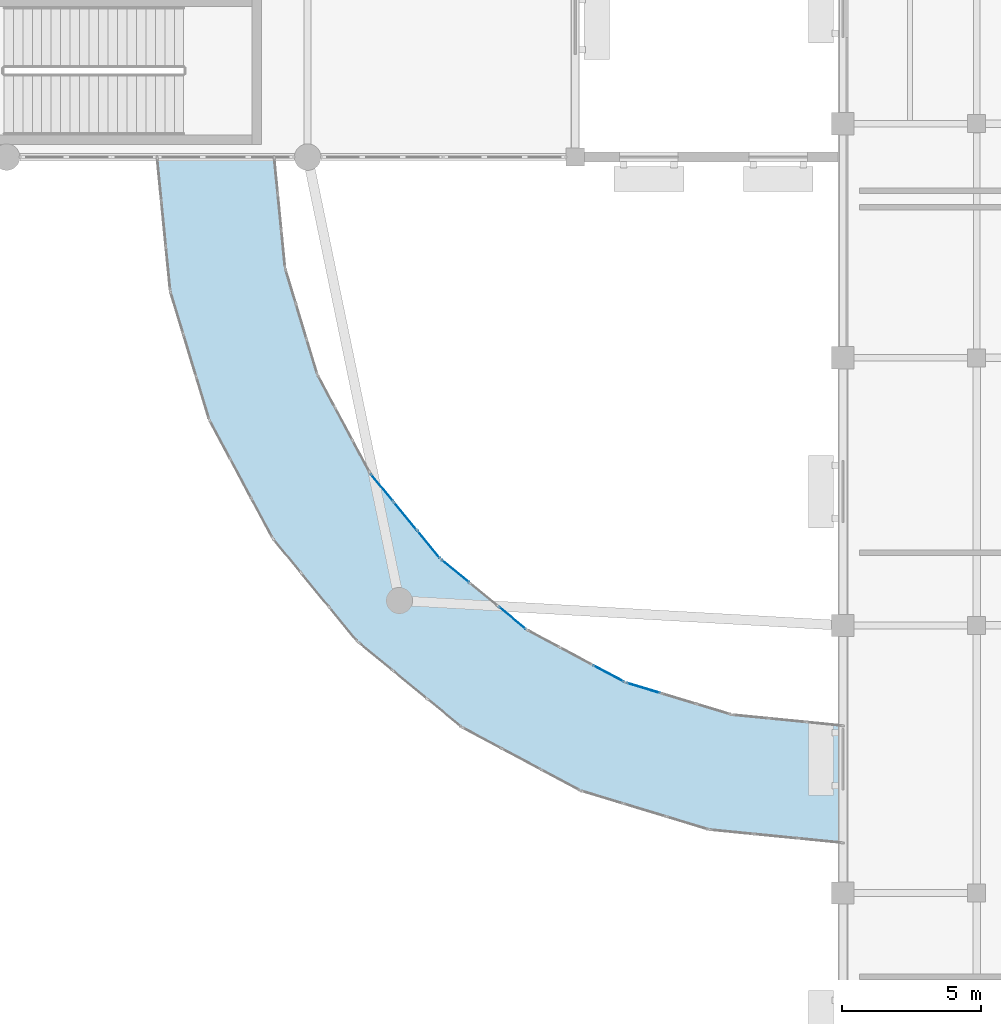
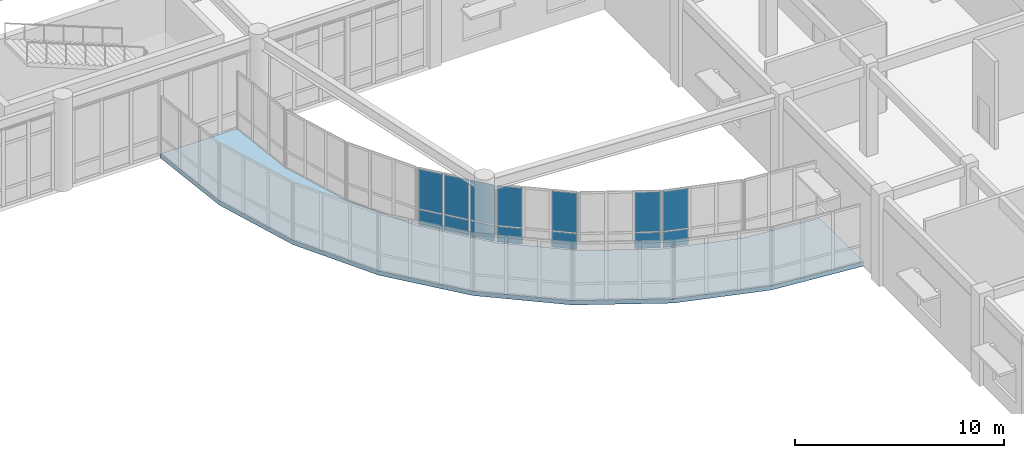
# One storey, part 45 of 72: 14 plates, 1 slab, 4 elements without a shape of their own.
"""IFC4 building model written with IfcOpenShell, lengths in metres."""

import ifcopenshell
import ifcopenshell.guid

model = None  # the IFC model being written
_history = None  # IfcOwnerHistory: only IFC2X3 demands one
_inside = {}  # id of a spatial element -> (the spatial element, [elements in it])
_under = {}  # id of a project, library or spatial element -> (it, [spatial elements below it])
_declared = {}  # id of a project -> (the project, [libraries it declares])
_typed = {}  # id of a type object -> (the type object, [elements of that type])
_made_of = {}  # id of a material, layer set ... -> (it, [elements and type objects made of it])


def new_model(schema):
    """Start an empty IFC model of exactly this schema.

    Asked for "IFC4X3", IfcOpenShell would pick the latest addendum, in which some entities
    have other attributes; the version numbers below select the first issue.
    IFC2X3 requires an IfcOwnerHistory on every rooted entity: one is made here for all.
    """
    global model, _history
    if schema == "IFC4X3":
        model = ifcopenshell.file(schema_version=(4, 3, 0, 0))
    else:
        model = ifcopenshell.file(schema=schema)
    _inside.clear()
    _under.clear()
    _declared.clear()
    _typed.clear()
    _made_of.clear()
    _history = None
    if model.schema == "IFC2X3":
        org = make("IfcOrganization", Name="unknown")
        user = make(
            "IfcPersonAndOrganization",
            ThePerson=make("IfcPerson", FamilyName="unknown"),
            TheOrganization=org,
        )
        app = make(
            "IfcApplication",
            ApplicationDeveloper=org,
            Version="unknown",
            ApplicationFullName="unknown",
            ApplicationIdentifier="unknown",
        )
        _history = make(
            "IfcOwnerHistory",
            OwningUser=user,
            OwningApplication=app,
            ChangeAction="ADDED",
            CreationDate=0,
        )
    return model


def make(cls, **values):
    """One entity of the class cls with the attributes given. An attribute that is None is left unset."""
    return model.create_entity(
        cls, **{name: value for name, value in values.items() if value is not None}
    )


def rooted(cls, **values):
    """An entity with a GlobalId (a new one), such as an element, a storey or a relation."""
    return make(cls, GlobalId=ifcopenshell.guid.new(), OwnerHistory=_history, **values)


def si_unit(unit_type, name, prefix=None):
    """IfcSIUnit, for example si_unit("LENGTHUNIT", "METRE", prefix="MILLI")."""
    return make("IfcSIUnit", UnitType=unit_type, Prefix=prefix, Name=name)


def assignment(units):
    """IfcUnitAssignment: the units of a project."""
    return None if units is None else make("IfcUnitAssignment", Units=units)


def point(xyz):
    """IfcCartesianPoint."""
    return None if xyz is None else make("IfcCartesianPoint", Coordinates=xyz)


def direction(xyz):
    """IfcDirection."""
    return None if xyz is None else make("IfcDirection", DirectionRatios=xyz)


def frame(location, z_axis=None, x_axis=None):
    """IfcAxis2Placement3D, a coordinate frame: its origin and axes. An axis left out is left unset."""
    return make(
        "IfcAxis2Placement3D",
        Location=point(location),
        Axis=direction(z_axis),
        RefDirection=direction(x_axis),
    )


def frame_2d(location, x_axis=None):
    """IfcAxis2Placement2D, a coordinate frame in the plane: its origin and x axis."""
    return make(
        "IfcAxis2Placement2D", Location=point(location), RefDirection=direction(x_axis)
    )


def origin():
    """The frame at (0, 0, 0) with its axes left unset."""
    return frame((0.0, 0.0, 0.0))


def origin_2d():
    """The frame at (0, 0) in the plane with its x axis left unset."""
    return frame_2d((0.0, 0.0))


def place(relative_to, where):
    """IfcLocalPlacement: puts the frame where relative to a parent placement (None: the world)."""
    return make(
        "IfcLocalPlacement", PlacementRelTo=relative_to, RelativePlacement=where
    )


def context(
    kind, dimensions, precision=None, world=None, true_north=None, identifier=None
):
    """IfcGeometricRepresentationContext, for example the 3D "Model" context."""
    return make(
        "IfcGeometricRepresentationContext",
        ContextIdentifier=identifier,
        ContextType=kind,
        CoordinateSpaceDimension=dimensions,
        Precision=precision,
        WorldCoordinateSystem=world,
        TrueNorth=true_north,
    )


def subcontext(parent, identifier, kind, view, scale=None):
    """IfcGeometricRepresentationSubContext, for example "Body" below "Model"."""
    return make(
        "IfcGeometricRepresentationSubContext",
        ContextIdentifier=identifier,
        ContextType=kind,
        ParentContext=parent,
        TargetScale=scale,
        TargetView=view,
    )


def project(units=None, contexts=None):
    """IfcProject with its units and contexts."""
    return rooted(
        "IfcProject",
        Name="project",
        RepresentationContexts=contexts,
        UnitsInContext=assignment(units),
    )


def spatial(cls, under=None, at=None, **own):
    """A site, building, storey or space (cls), placed at a placement, below another one or the project."""
    s = rooted(cls, ObjectPlacement=at, **own)
    if under is not None:
        _under.setdefault(under.id(), (under, []))[1].append(s)
    return s


def polyline(points):
    """IfcPolyline through the points."""
    return make("IfcPolyline", Points=[point(p) for p in points])


def profile(cls, at=None, kind="AREA", **sizes):
    """A parametric profile (cls). Its sizes go by their IFC names, for example OverallWidth=200.0."""
    return make(cls, ProfileType=kind, Position=at, **sizes)


def rectangle(**sizes):
    """IfcRectangleProfileDef."""
    return profile("IfcRectangleProfileDef", **sizes)


def outline(outer, holes=None, kind="AREA"):
    """IfcArbitraryClosedProfileDef: a profile drawn as a closed curve; with holes, ...WithVoids."""
    if holes is None:
        return make("IfcArbitraryClosedProfileDef", ProfileType=kind, OuterCurve=outer)
    return make(
        "IfcArbitraryProfileDefWithVoids",
        ProfileType=kind,
        OuterCurve=outer,
        InnerCurves=holes,
    )


def extrude(swept, where, along, depth):
    """IfcExtrudedAreaSolid: the profile swept, set in the frame where, extruded along a direction by depth."""
    return make(
        "IfcExtrudedAreaSolid",
        SweptArea=swept,
        Position=where,
        ExtrudedDirection=direction(along),
        Depth=depth,
    )


def shape(context_of_items, identifier, shape_type, items):
    """IfcShapeRepresentation: the items that make up one representation, for example the "Body"."""
    return make(
        "IfcShapeRepresentation",
        ContextOfItems=context_of_items,
        RepresentationIdentifier=identifier,
        RepresentationType=shape_type,
        Items=items,
    )


def material(Name=None, Category=None):
    """IfcMaterial."""
    return make("IfcMaterial", Name=Name, Category=Category)


def layer(
    of_material, thickness, ventilated=None, Name=None, Category=None, Priority=None
):
    """IfcMaterialLayer: one layer of a wall or slab, of a material (None: an air gap)."""
    return make(
        "IfcMaterialLayer",
        Material=of_material,
        LayerThickness=thickness,
        IsVentilated=ventilated,
        Name=Name,
        Category=Category,
        Priority=Priority,
    )


def layer_set(layers, Name=None):
    """IfcMaterialLayerSet."""
    return make("IfcMaterialLayerSet", MaterialLayers=layers, LayerSetName=Name)


def made_of(thing, what):
    """Note that an element or type object is made of a material, layer set ...; save() writes the relation."""
    if what is not None:
        _made_of.setdefault(what.id(), (what, []))[1].append(thing)
    return thing


def type_object(cls, material=None, **own):
    """A type object (cls), such as IfcWallType, which elements share."""
    return made_of(rooted(cls, **own), material)


def element(
    cls,
    number,
    at=None,
    inside=None,
    cuts=None,
    type_object=None,
    material=None,
    context=None,
    identifier="Body",
    shape_type=None,
    held_by="IfcProductDefinitionShape",
    body=None,
    shapes=None,
    **own,
):
    """One element of the class cls, such as IfcWall. Its Tag is "e" and its number.

    at: its placement. inside: the storey or other place that contains it. cuts: it is an
    opening in that element (IfcRelVoidsElement). A single representation is given by context,
    identifier, shape_type and body (its items); several are given by shapes. held_by: the class
    of the entity that holds the representations. save() writes the other relations.
    """
    e = rooted(cls, Tag="e%d" % number, ObjectPlacement=at, **own)
    if body is not None:
        shapes = [shape(context, identifier, shape_type, body)]
    if shapes is not None:
        e.Representation = make(held_by, Representations=shapes)
    if inside is not None:
        _inside.setdefault(inside.id(), (inside, []))[1].append(e)
    if cuts is not None:
        rooted(
            "IfcRelVoidsElement", RelatingBuildingElement=cuts, RelatedOpeningElement=e
        )
    if type_object is not None:
        _typed.setdefault(type_object.id(), (type_object, []))[1].append(e)
    return made_of(e, material)


def aggregate(whole, parts):
    """IfcRelAggregates: a whole, such as a stair, and the parts it consists of."""
    return rooted("IfcRelAggregates", RelatingObject=whole, RelatedObjects=parts)


def save(model, path):
    """Write the relations noted so far, then the file.

    IfcRelAggregates (storeys below a building ...), IfcRelContainedInSpatialStructure (elements
    in a storey), IfcRelDefinesByType, IfcRelAssociatesMaterial and IfcRelDeclares: one each for
    every whole, place, type object, material and project.
    """
    for whole, parts in _under.values():
        aggregate(whole, parts)
    for where, things in _inside.values():
        rooted(
            "IfcRelContainedInSpatialStructure",
            RelatedElements=things,
            RelatingStructure=where,
        )
    for kind, things in _typed.values():
        rooted("IfcRelDefinesByType", RelatedObjects=things, RelatingType=kind)
    for what, things in _made_of.values():
        rooted("IfcRelAssociatesMaterial", RelatedObjects=things, RelatingMaterial=what)
    for by, libraries in _declared.values():
        rooted("IfcRelDeclares", RelatingContext=by, RelatedDefinitions=libraries)
    model.write(path)


model = new_model("IFC4")

# Units and contexts
model_context = context("Model", 3, precision=1e-05, world=origin(), true_north=direction((0.0, 1.0)))
body_context = subcontext(model_context, "Body", "Model", "MODEL_VIEW")
ifc_project = project(units=[si_unit("LENGTHUNIT", "METRE"), si_unit("AREAUNIT", "SQUARE_METRE"), si_unit("VOLUMEUNIT", "CUBIC_METRE"), si_unit("PLANEANGLEUNIT", "RADIAN"), si_unit("MASSUNIT", "GRAM", prefix="KILO")], contexts=[model_context])

# Site, building, storey
site_placement = place(None, origin())
site = spatial("IfcSite", under=ifc_project, at=site_placement, CompositionType="ELEMENT")
building_placement = place(site_placement, origin())
building = spatial("IfcBuilding", under=site, at=building_placement, Name="Veldera Park Congress Hotel", CompositionType="ELEMENT")
storey_placement = place(building_placement, frame((0.0, 0.0, 5.39990234375)))
storey = spatial("IfcBuildingStorey", under=building, at=storey_placement, Name="L01", CompositionType="ELEMENT", Elevation=5.39990234375)

# Curtain wall, plates
ifc_material_1 = material(Name="Low-E Triple Insulating Glass Unit (SHGC 0.22)", Category="glass")
curtain_wall_type = type_object("IfcCurtainWallType", Name="CW-BRG", PredefinedType="NOTDEFINED", material=ifc_material_1)
curtain_wall_1_placement = place(storey_placement, origin())
curtain_wall_1 = element("IfcCurtainWall", 1, at=curtain_wall_1_placement, inside=storey, type_object=curtain_wall_type, Name="L01 Curtain Wall CW3-BRGE-L01-B10", PredefinedType="NOTDEFINED")
ifc_layer_1 = layer(ifc_material_1, 0.028076171875)
ifc_layer_set_1 = layer_set([ifc_layer_1], Name="Low-E Triple Insulating Glass Unit (SHGC 0.22)")
plate_type = type_object("IfcPlateType", Name="CWP-IGU28", PredefinedType="CURTAIN_PANEL", material=ifc_layer_set_1)
plate_1_placement = place(storey_placement, frame((53.6455078125, -1.64501953125, 0.06005859375), z_axis=(0.0, 0.0, 1.0), x_axis=(-0.956938767513, 0.290289846929, 0.0)))
plate_1 = element("IfcPlate", 2, at=plate_1_placement, type_object=plate_type, Name="CW-BRG panel 3.1", PredefinedType="CURTAIN_PANEL", context=body_context, shape_type="SweptSolid", body=[
    extrude(rectangle(XDim=1.242919921875, YDim=0.028076171875, at=origin_2d()), origin(), (0.0, 0.0, 1.0), 0.909912109375),
])
plate_2_placement = place(storey_placement, frame((53.6455078125, -1.64501953125, 1.030029296875), z_axis=(0.0, 0.0, 1.0), x_axis=(-0.956938767513, 0.290289846929, 0.0)))
plate_2 = element("IfcPlate", 3, at=plate_2_placement, type_object=plate_type, Name="CW-BRG panel 3.2", PredefinedType="CURTAIN_PANEL", context=body_context, shape_type="SweptSolid", body=[
    extrude(rectangle(XDim=1.242919921875, YDim=0.028076171875, at=origin_2d()), origin(), (0.0, 0.0, 1.0), 2.31005859375),
])
aggregate(curtain_wall_1, [plate_1, plate_2])

curtain_wall_2_placement = place(storey_placement, origin())
curtain_wall_2 = element("IfcCurtainWall", 4, at=curtain_wall_2_placement, inside=storey, type_object=curtain_wall_type, Name="L01 Curtain Wall CW3-BRGE-L01-B11", PredefinedType="NOTDEFINED")
plate_3_placement = place(storey_placement, frame((52.392333984375, -1.125732421875, 0.06005859375), z_axis=(0.0, 0.0, 1.0), x_axis=(-0.881928263239, 0.471383642588, 0.0)))
plate_3 = element("IfcPlate", 5, at=plate_3_placement, type_object=plate_type, Name="CW-BRG panel 1.1", PredefinedType="CURTAIN_PANEL", context=body_context, shape_type="SweptSolid", body=[
    extrude(rectangle(XDim=1.242919921875, YDim=0.028076171875, at=origin_2d()), origin(), (0.0, 0.0, 1.0), 0.909912109375),
])
plate_4_placement = place(storey_placement, frame((52.392333984375, -1.125732421875, 1.030029296875), z_axis=(0.0, 0.0, 1.0), x_axis=(-0.881928263239, 0.471383642588, 0.0)))
plate_4 = element("IfcPlate", 6, at=plate_4_placement, type_object=plate_type, Name="CW-BRG panel 1.2", PredefinedType="CURTAIN_PANEL", context=body_context, shape_type="SweptSolid", body=[
    extrude(rectangle(XDim=1.242919921875, YDim=0.028076171875, at=origin_2d()), origin(), (0.0, 0.0, 1.0), 2.31005859375),
])
aggregate(curtain_wall_2, [plate_3, plate_4])

curtain_wall_3_placement = place(storey_placement, origin())
curtain_wall_3 = element("IfcCurtainWall", 7, at=curtain_wall_3_placement, inside=storey, type_object=curtain_wall_type, Name="L01 Curtain Wall CW3-BRGE-L01-B12", PredefinedType="NOTDEFINED")
plate_5_placement = place(storey_placement, frame((48.939453125, 0.870361328125, 0.06005859375), z_axis=(0.0, 0.0, 1.0), x_axis=(-0.773016144823, 0.634386349036, 0.0)))
plate_5 = element("IfcPlate", 8, at=plate_5_placement, type_object=plate_type, Name="CW-BRG panel 1.1", PredefinedType="CURTAIN_PANEL", context=body_context, shape_type="SweptSolid", body=[
    extrude(rectangle(XDim=1.2431640625, YDim=0.028076171875, at=origin_2d()), origin(), (0.0, 0.0, 1.0), 0.909912109375),
])
plate_6_placement = place(storey_placement, frame((48.939453125, 0.870361328125, 1.030029296875), z_axis=(0.0, 0.0, 1.0), x_axis=(-0.773016144823, 0.634386349036, 0.0)))
plate_6 = element("IfcPlate", 9, at=plate_6_placement, type_object=plate_type, Name="CW-BRG panel 1.2", PredefinedType="CURTAIN_PANEL", context=body_context, shape_type="SweptSolid", body=[
    extrude(rectangle(XDim=1.2431640625, YDim=0.028076171875, at=origin_2d()), origin(), (0.0, 0.0, 1.0), 2.31005859375),
])
plate_7_placement = place(storey_placement, frame((46.90185546875, 2.542724609375, 0.06005859375), z_axis=(0.0, 0.0, 1.0), x_axis=(-0.773016144823, 0.634386349036, 0.0)))
plate_7 = element("IfcPlate", 10, at=plate_7_placement, type_object=plate_type, Name="CW-BRG panel 3.1", PredefinedType="CURTAIN_PANEL", context=body_context, shape_type="SweptSolid", body=[
    extrude(rectangle(XDim=1.2431640625, YDim=0.028076171875, at=origin_2d()), origin(), (0.0, 0.0, 1.0), 0.909912109375),
])
plate_8_placement = place(storey_placement, frame((46.90185546875, 2.542724609375, 1.030029296875), z_axis=(0.0, 0.0, 1.0), x_axis=(-0.773016144823, 0.634386349036, 0.0)))
plate_8 = element("IfcPlate", 11, at=plate_8_placement, type_object=plate_type, Name="CW-BRG panel 3.2", PredefinedType="CURTAIN_PANEL", context=body_context, shape_type="SweptSolid", body=[
    extrude(rectangle(XDim=1.2431640625, YDim=0.028076171875, at=origin_2d()), origin(), (0.0, 0.0, 1.0), 2.31005859375),
])
aggregate(curtain_wall_3, [plate_5, plate_6, plate_7, plate_8])

curtain_wall_4_placement = place(storey_placement, origin())
curtain_wall_4 = element("IfcCurtainWall", 12, at=curtain_wall_4_placement, inside=storey, type_object=curtain_wall_type, Name="L01 Curtain Wall CW3-BRGE-L01-B13", PredefinedType="NOTDEFINED")
plate_9_placement = place(storey_placement, frame((45.942626953125, 3.501708984375, 0.06005859375), z_axis=(0.0, 0.0, 1.0), x_axis=(-0.634386349036, 0.773016144823, 0.0)))
plate_9 = element("IfcPlate", 13, at=plate_9_placement, type_object=plate_type, Name="CW-BRG panel 1.1", PredefinedType="CURTAIN_PANEL", context=body_context, shape_type="SweptSolid", body=[
    extrude(rectangle(XDim=1.2431640625, YDim=0.028076171875, at=origin_2d()), origin(), (0.0, 0.0, 1.0), 0.909912109375),
])
plate_10_placement = place(storey_placement, frame((45.942626953125, 3.501708984375, 1.030029296875), z_axis=(0.0, 0.0, 1.0), x_axis=(-0.634386349036, 0.773016144823, 0.0)))
plate_10 = element("IfcPlate", 14, at=plate_10_placement, type_object=plate_type, Name="CW-BRG panel 1.2", PredefinedType="CURTAIN_PANEL", context=body_context, shape_type="SweptSolid", body=[
    extrude(rectangle(XDim=1.2431640625, YDim=0.028076171875, at=origin_2d()), origin(), (0.0, 0.0, 1.0), 2.31005859375),
])
plate_11_placement = place(storey_placement, frame((45.1064453125, 4.520751953125, 0.06005859375), z_axis=(0.0, 0.0, 1.0), x_axis=(-0.634386349036, 0.773016144823, 0.0)))
plate_11 = element("IfcPlate", 15, at=plate_11_placement, type_object=plate_type, Name="CW-BRG panel 2.1", PredefinedType="CURTAIN_PANEL", context=body_context, shape_type="SweptSolid", body=[
    extrude(rectangle(XDim=1.27294921875, YDim=0.028076171875, at=origin_2d()), origin(), (0.0, 0.0, 1.0), 0.909912109375),
])
plate_12_placement = place(storey_placement, frame((45.1064453125, 4.520751953125, 1.030029296875), z_axis=(0.0, 0.0, 1.0), x_axis=(-0.634386349036, 0.773016144823, 0.0)))
plate_12 = element("IfcPlate", 16, at=plate_12_placement, type_object=plate_type, Name="CW-BRG panel 2.2", PredefinedType="CURTAIN_PANEL", context=body_context, shape_type="SweptSolid", body=[
    extrude(rectangle(XDim=1.27294921875, YDim=0.028076171875, at=origin_2d()), origin(), (0.0, 0.0, 1.0), 2.31005859375),
])
plate_13_placement = place(storey_placement, frame((44.270263671875, 5.53955078125, 0.06005859375), z_axis=(0.0, 0.0, 1.0), x_axis=(-0.634386349036, 0.773016144823, 0.0)))
plate_13 = element("IfcPlate", 17, at=plate_13_placement, type_object=plate_type, Name="CW-BRG panel 3.1", PredefinedType="CURTAIN_PANEL", context=body_context, shape_type="SweptSolid", body=[
    extrude(rectangle(XDim=1.2431640625, YDim=0.028076171875, at=origin_2d()), origin(), (0.0, 0.0, 1.0), 0.909912109375),
])
plate_14_placement = place(storey_placement, frame((44.270263671875, 5.53955078125, 1.030029296875), z_axis=(0.0, 0.0, 1.0), x_axis=(-0.634386349036, 0.773016144823, 0.0)))
plate_14 = element("IfcPlate", 18, at=plate_14_placement, type_object=plate_type, Name="CW-BRG panel 3.2", PredefinedType="CURTAIN_PANEL", context=body_context, shape_type="SweptSolid", body=[
    extrude(rectangle(XDim=1.2431640625, YDim=0.028076171875, at=origin_2d()), origin(), (0.0, 0.0, 1.0), 2.31005859375),
])
aggregate(curtain_wall_4, [plate_9, plate_10, plate_11, plate_12, plate_13, plate_14])

# Slab
ifc_material_2 = material(Name="Concrete f'c 40 MPa (5,800 psi)", Category="concrete")
ifc_layer_2 = layer(ifc_material_2, 0.2548828125)
ifc_layer_set_2 = layer_set([ifc_layer_2], Name="Concrete f'c 40 MPa (5,800 psi)")
slab_type = type_object("IfcSlabType", Name="SLB-BRG255", PredefinedType="FLOOR", material=ifc_layer_set_2)
slab_placement = place(storey_placement, frame((0.0, 0.0, -0.2548828125)))
element("IfcSlab", 19, at=slab_placement, inside=storey, type_object=slab_type, Name="L01 East Glazed Link Bridge Deck SLB-L01-BRGE", PredefinedType="FLOOR", context=body_context, shape_type="SweptSolid", body=[
    extrude(outline(polyline([(36.199951171875, 17.39990234375), (36.672607421875, 12.600830078125), (38.072509765625, 7.986083984375), (40.345703125, 3.73291015625), (43.4052734375, 0.005126953125), (47.133056640625, -3.05419921875), (51.385986328125, -5.327392578125), (56.000732421875, -6.727294921875), (60.800048828125, -7.199951171875), (60.800048828125, -3.0), (56.8203125, -2.60791015625), (52.993408203125, -1.447021484375), (49.46630859375, 0.43798828125), (46.375, 2.97509765625), (43.837890625, 6.06640625), (41.952880859375, 9.59326171875), (40.7919921875, 13.420166015625), (40.39990234375, 17.39990234375), (36.199951171875, 17.39990234375)])), origin(), (0.0, 0.0, 1.0), 0.2548828125),
])

save(model, "model.ifc")
